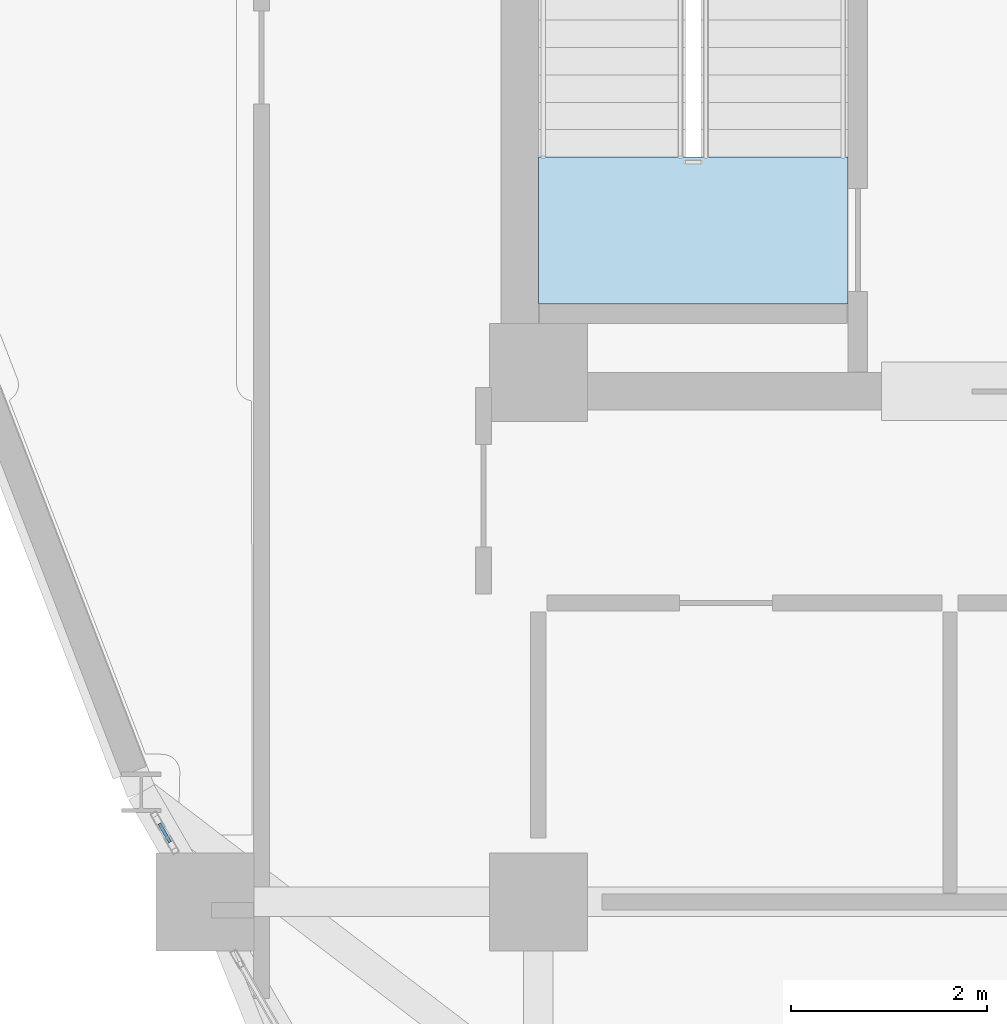
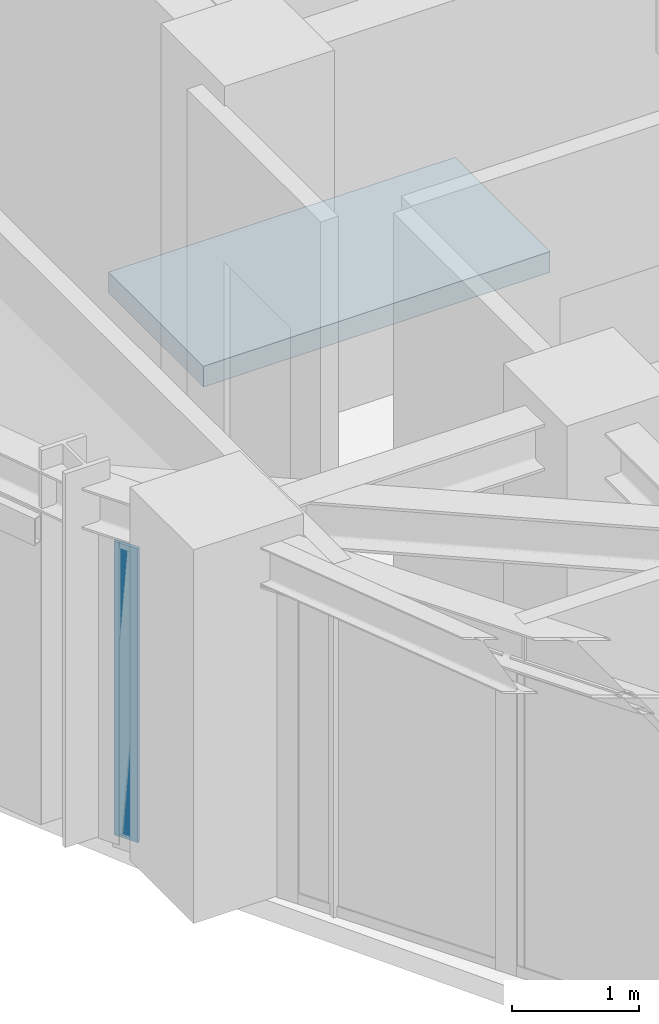
# One storey, part 12 of 18: 1 plate, 1 slab, 1 element without a shape of its own.
"""IFC4 building model written with IfcOpenShell, lengths in metres."""

from ifc_helpers import new_model, si_unit, derived_unit, direction, frame, origin, origin_2d, place, context, subcontext, project, spatial, polyline, rectangle, outline, extrude, source, transform, mapped, material, layer, layer_set, type_object, element, aggregate, save


model = new_model("IFC4")

# Units and contexts
model_context = context("Model", 3, precision=1e-05, world=origin(), true_north=direction((0.0, 1.0)))
body_context = subcontext(model_context, "Body", "Model", "MODEL_VIEW")
ifc_project = project(units=[si_unit("LENGTHUNIT", "METRE"), si_unit("AREAUNIT", "SQUARE_METRE"), si_unit("VOLUMEUNIT", "CUBIC_METRE"), si_unit("PLANEANGLEUNIT", "RADIAN"), si_unit("MASSUNIT", "GRAM", prefix="KILO"), derived_unit("THERMALTRANSMITTANCEUNIT", [(si_unit("POWERUNIT", "WATT"), 1), (si_unit("LENGTHUNIT", "METRE"), -2), (si_unit("THERMODYNAMICTEMPERATUREUNIT", "KELVIN"), -1)])], contexts=[model_context])

# Site, building, storey
site_placement = place(None, origin())
site = spatial("IfcSite", under=ifc_project, at=site_placement, CompositionType="ELEMENT")
building_placement = place(site_placement, origin())
building = spatial("IfcBuilding", under=site, at=building_placement, Name="Korsvarv Bourse and Concert Hall", CompositionType="ELEMENT")
storey_placement = place(building_placement, frame((0.0, 0.0, 209.39990234375)))
storey = spatial("IfcBuildingStorey", under=building, at=storey_placement, Name="L54", CompositionType="ELEMENT", Elevation=209.39990234375)

# Slab
ifc_material_1 = material(Name="Precast concrete C45/55", Category="concrete")
ifc_layer_1 = layer(ifc_material_1, 0.199951171875)
ifc_layer_set_1 = layer_set([ifc_layer_1], Name="Precast concrete C45/55")
slab_type = type_object("IfcSlabType", Name="SLB-FLND-T", PredefinedType="LANDING", material=ifc_layer_set_1)
slab_placement = place(storey_placement, frame((0.0, 0.0, -0.199951171875)))
element("IfcSlab", 1, at=slab_placement, inside=storey, type_object=slab_type, Name="L54 Stair ST-T1 Floor Landing Slab", PredefinedType="LANDING", context=body_context, shape_type="SweptSolid", body=[
    extrude(outline(polyline([(30.760009765625, 38.5), (30.760009765625, 40.0), (27.60009765625, 40.0), (27.60009765625, 38.5), (30.760009765625, 38.5)])), origin(), (0.0, 0.0, 1.0), 0.199951171875),
])

# Curtain wall, plate
ifc_material_2 = material(Name="Anodised aluminium and triple low-E glazing", Category="glass")
ifc_layer_2 = layer(ifc_material_2, 0.199951171875)
ifc_layer_set_2 = layer_set([ifc_layer_2], Name="Anodised aluminium and triple low-E glazing")
curtain_wall_type = type_object("IfcCurtainWallType", Name="CW-SYS-3", PredefinedType="NOTDEFINED", material=ifc_layer_set_2)
curtain_wall_placement = place(storey_placement, origin())
curtain_wall = element("IfcCurtainWall", 2, at=curtain_wall_placement, inside=storey, type_object=curtain_wall_type, Name="L54 CW3 curtain wall CW-L54-F07-1", PredefinedType="NOTDEFINED")
ifc_material_3 = material(Name="Insulated spandrel glass", Category="glass")
ifc_layer_3 = layer(ifc_material_3, 0.031982421875)
ifc_layer_set_3 = layer_set([ifc_layer_3], Name="Insulated spandrel glass")
plate_type = type_object("IfcPlateType", Name="CWP-SPD1", PredefinedType="CURTAIN_PANEL", material=ifc_layer_set_3)
shared_shape = source(origin(), body_context, "Body", "SweptSolid", [
    extrude(rectangle(XDim=0.21826171875, YDim=0.031982421875, at=origin_2d()), origin(), (0.0, 0.0, 1.0), 2.830078125),
])
plate_placement = place(storey_placement, frame((23.786865234375, 33.105224609375, 0.06494140625), z_axis=(0.0, 0.0, 1.0), x_axis=(0.499891584645, -0.866087988372, 0.0)))
plate = element("IfcPlate", 3, at=plate_placement, type_object=plate_type, Name="CW3 spandrel shadow-box panel 1.1", PredefinedType="CURTAIN_PANEL", context=body_context, shape_type="MappedRepresentation", body=[
    mapped(shared_shape, transform((0.0, 0.0, 0.0), scale=1.0)),
])
aggregate(curtain_wall, [plate])

save(model, "model.ifc")
